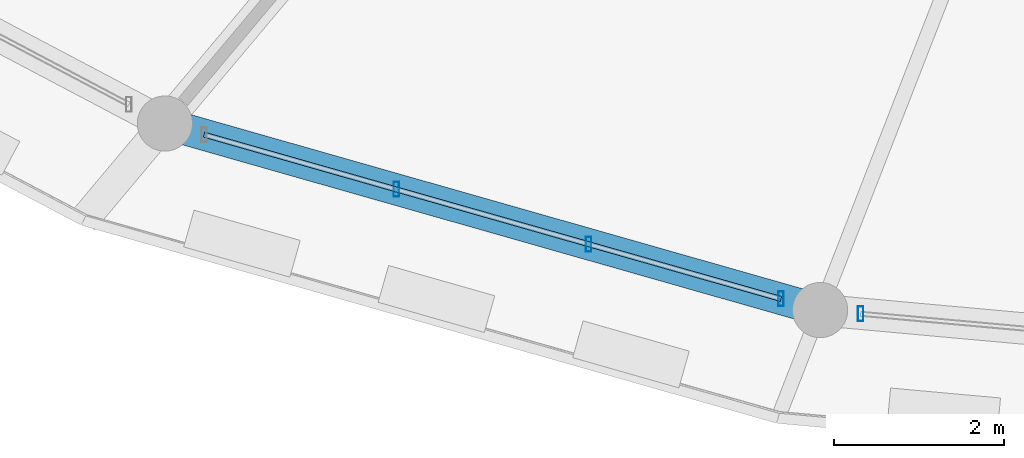
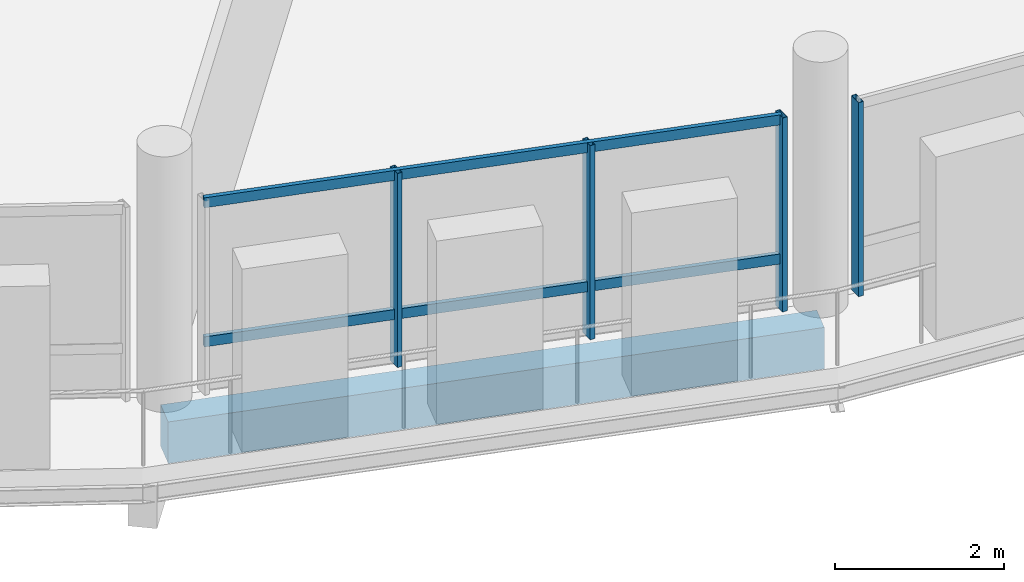
# One storey, part 26 of 84: 6 members, 1 beam, 2 elements without a shape of their own.
"""IFC4 building model written with IfcOpenShell, lengths in metres."""

from ifc_helpers import new_model, si_unit, direction, frame, origin, origin_2d, place, context, subcontext, project, spatial, rectangle, hollow_rectangle, extrude, material, material_profile, profile_set, type_object, element, aggregate, save


model = new_model("IFC4")

# Units and contexts
model_context = context("Model", 3, precision=1e-05, world=origin(), true_north=direction((0.0, 1.0)))
body_context = subcontext(model_context, "Body", "Model", "MODEL_VIEW")
ifc_project = project(units=[si_unit("LENGTHUNIT", "METRE"), si_unit("AREAUNIT", "SQUARE_METRE"), si_unit("VOLUMEUNIT", "CUBIC_METRE"), si_unit("PLANEANGLEUNIT", "RADIAN"), si_unit("MASSUNIT", "GRAM", prefix="KILO")], contexts=[model_context])

# Site, building, storey
site_placement = place(None, origin())
site = spatial("IfcSite", under=ifc_project, at=site_placement, CompositionType="ELEMENT")
building_placement = place(site_placement, origin())
building = spatial("IfcBuilding", under=site, at=building_placement, Name="Zornivar Specialist Clinic", CompositionType="ELEMENT")
storey_placement = place(building_placement, frame((0.0, 0.0, 12.300048828125)))
storey = spatial("IfcBuildingStorey", under=building, at=storey_placement, Name="L03", CompositionType="ELEMENT", Elevation=12.300048828125)

# Beam
ifc_material_1 = material(Name="Concrete C30/37", Category="concrete")
ifc_material_profile_1 = material_profile(ifc_material_1, rectangle(XDim=0.3701171875, YDim=0.60009765625, at=origin_2d()), Name="RC 370x600")
ifc_profile_set_1 = profile_set([ifc_material_profile_1], Name="Concrete C30/37")
beam_type = type_object("IfcBeamType", Name="BM-RC-SPANDREL-370x600", PredefinedType="SPANDREL", material=ifc_profile_set_1)
beam_placement = place(storey_placement, frame((77.60009765625, 38.547119140625, -0.5400390625), z_axis=(0.961790992591, -0.273784744957, 0.0), x_axis=(0.273784744957, 0.961790992591, 0.0)))
element("IfcBeam", 1, at=beam_placement, inside=storey, type_object=beam_type, Name="bm:V1:L03:outring:16", PredefinedType="SPANDREL", context=body_context, shape_type="SweptSolid", body=[
    extrude(rectangle(XDim=0.3701171875, YDim=0.60009765625, at=origin_2d()), origin(), (0.0, 0.0, 1.0), 8.024658203125),
])

# Curtain wall, members
ifc_material_2 = material(Name="Aluminium and Low-E Glass Curtain Wall", Category="aluminium")
curtain_wall_type = type_object("IfcCurtainWallType", Name="CW-DRUM-FACET", PredefinedType="NOTDEFINED", material=ifc_material_2)
curtain_wall_1_placement = place(storey_placement, origin())
curtain_wall_1 = element("IfcCurtainWall", 2, at=curtain_wall_1_placement, inside=storey, type_object=curtain_wall_type, Name="cw:V1:L03:c16", PredefinedType="NOTDEFINED")
ifc_material_3 = material(Name="Aluminium AW-6060", Category="aluminium")
ifc_material_profile_2 = material_profile(ifc_material_3, hollow_rectangle(XDim=0.06494140625, YDim=0.175048828125, WallThickness=0.00439453125, at=origin_2d()), Name="ALU 65x175x4.5")
ifc_profile_set_2 = profile_set([ifc_material_profile_2], Name="Aluminium AW-6060")
member_type_1 = type_object("IfcMemberType", Name="CWM-MUL-175", PredefinedType="MULLION", material=ifc_profile_set_2)
member_1_placement = place(storey_placement, frame((80.325927734375, 37.77099609375, 0.0), z_axis=(0.0, 0.0, 1.0), x_axis=(1.0, 0.0, 0.0)))
member_1 = element("IfcMember", 3, at=member_1_placement, type_object=member_type_1, Name="cw:V1:L03:c16:mul:1", PredefinedType="MULLION", context=body_context, shape_type="SweptSolid", body=[
    extrude(hollow_rectangle(XDim=0.06494140625, YDim=0.175048828125, WallThickness=0.00439453125, at=origin_2d()), origin(), (0.0, 0.0, 1.0), 2.81005859375),
])
member_2_placement = place(storey_placement, frame((82.592041015625, 37.126953125, 0.0), z_axis=(0.0, 0.0, 1.0), x_axis=(1.0, 0.0, 0.0)))
member_2 = element("IfcMember", 4, at=member_2_placement, type_object=member_type_1, Name="cw:V1:L03:c16:mul:2", PredefinedType="MULLION", context=body_context, shape_type="SweptSolid", body=[
    extrude(hollow_rectangle(XDim=0.06494140625, YDim=0.175048828125, WallThickness=0.00439453125, at=origin_2d()), origin(), (0.0, 0.0, 1.0), 2.81005859375),
])
member_3_placement = place(storey_placement, frame((84.85693359375, 36.48193359375, 0.0), z_axis=(0.0, 0.0, 1.0), x_axis=(1.0, 0.0, 0.0)))
member_3 = element("IfcMember", 5, at=member_3_placement, type_object=member_type_1, Name="cw:V1:L03:c16:mul:3", PredefinedType="MULLION", context=body_context, shape_type="SweptSolid", body=[
    extrude(hollow_rectangle(XDim=0.06494140625, YDim=0.175048828125, WallThickness=0.00439453125, at=origin_2d()), origin(), (0.0, 0.0, 1.0), 2.81005859375),
])

# Curtain wall, member
curtain_wall_2_placement = place(storey_placement, origin())
curtain_wall_2 = element("IfcCurtainWall", 6, at=curtain_wall_2_placement, inside=storey, type_object=curtain_wall_type, Name="cw:V1:L03:c17", PredefinedType="NOTDEFINED")
member_4_placement = place(storey_placement, frame((85.7958984375, 36.305908203125, 0.0), z_axis=(0.0, 0.0, 1.0), x_axis=(1.0, 0.0, 0.0)))
member_4 = element("IfcMember", 7, at=member_4_placement, type_object=member_type_1, Name="cw:V1:L03:c17:mul:0", PredefinedType="MULLION", context=body_context, shape_type="SweptSolid", body=[
    extrude(hollow_rectangle(XDim=0.06494140625, YDim=0.175048828125, WallThickness=0.00439453125, at=origin_2d()), origin(), (0.0, 0.0, 1.0), 2.81005859375),
])
aggregate(curtain_wall_2, [member_4])

# Member
ifc_material_4 = material(Name="Aluminium AW-6060", Category="aluminium")
ifc_material_profile_3 = material_profile(ifc_material_4, hollow_rectangle(XDim=0.06005859375, YDim=0.14501953125, WallThickness=0.00390625, at=origin_2d()), Name="ALU 60x145x4")
ifc_profile_set_3 = profile_set([ifc_material_profile_3], Name="Aluminium AW-6060")
member_type_2 = type_object("IfcMemberType", Name="CWM-TRN-145", PredefinedType="USERDEFINED", material=ifc_profile_set_3)
member_5_placement = place(storey_placement, frame((78.06103515625, 38.416015625, 0.73095703125), z_axis=(0.961771283353, -0.27385397298, 0.0), x_axis=(0.27385397298, 0.961771283353, 0.0)))
member_5 = element("IfcMember", 8, at=member_5_placement, type_object=member_type_2, Name="cw:V1:L03:c16:trn:0", ObjectType="TRANSOM", PredefinedType="USERDEFINED", context=body_context, shape_type="SweptSolid", body=[
    extrude(hollow_rectangle(XDim=0.06005859375, YDim=0.14501953125, WallThickness=0.00390625, at=origin_2d()), origin(), (0.0, 0.0, 1.0), 7.06591796875),
])

member_6_placement = place(storey_placement, frame((78.06103515625, 38.416015625, 2.744873046875), z_axis=(0.961771283353, -0.27385397298, 0.0), x_axis=(0.27385397298, 0.961771283353, 0.0)))
member_6 = element("IfcMember", 9, at=member_6_placement, type_object=member_type_2, Name="cw:V1:L03:c16:trn:1", ObjectType="TRANSOM", PredefinedType="USERDEFINED", context=body_context, shape_type="SweptSolid", body=[
    extrude(hollow_rectangle(XDim=0.06005859375, YDim=0.14501953125, WallThickness=0.00390625, at=origin_2d()), origin(), (0.0, 0.0, 1.0), 7.06591796875),
])

aggregate(curtain_wall_1, [member_1, member_2, member_3, member_5, member_6])

save(model, "model.ifc")
